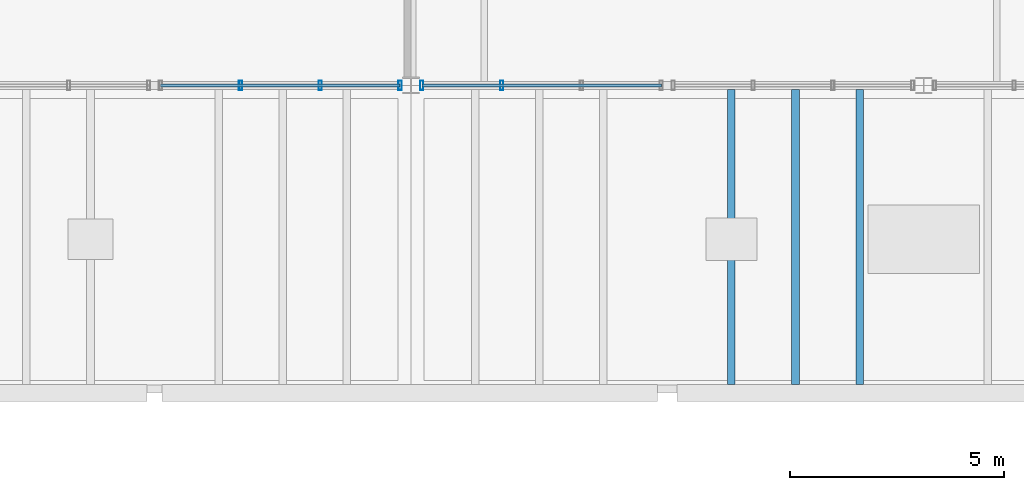
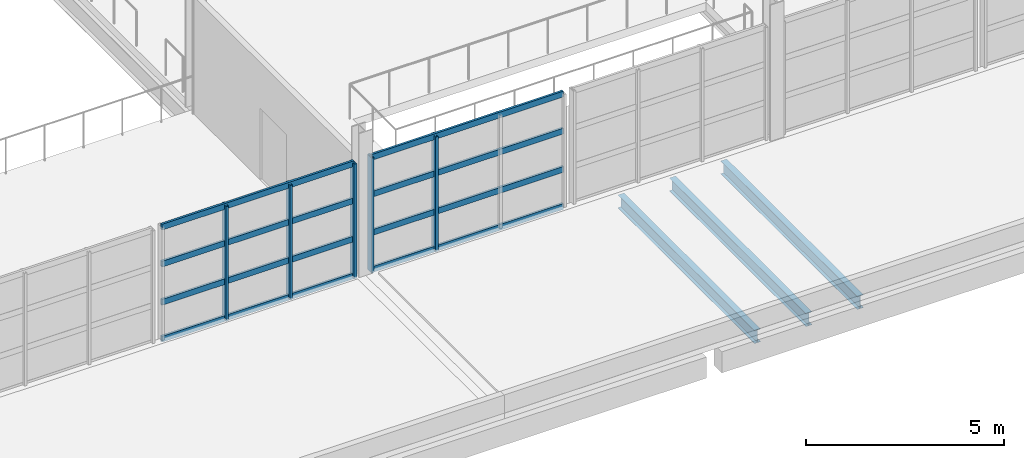
# One storey, part 33 of 114: 13 members, 3 beams, 2 elements without a shape of their own.
"""IFC4 building model written with IfcOpenShell, lengths in metres."""

from ifc_helpers import new_model, si_unit, direction, frame, origin, origin_2d, place, context, subcontext, project, spatial, hollow_rectangle, i_section, extrude, material, material_profile, profile_set, type_object, element, aggregate, save


model = new_model("IFC4")

# Units and contexts
model_context = context("Model", 3, precision=1e-05, world=origin(), true_north=direction((0.0, 1.0)))
body_context = subcontext(model_context, "Body", "Model", "MODEL_VIEW")
ifc_project = project(units=[si_unit("LENGTHUNIT", "METRE"), si_unit("AREAUNIT", "SQUARE_METRE"), si_unit("VOLUMEUNIT", "CUBIC_METRE"), si_unit("PLANEANGLEUNIT", "RADIAN"), si_unit("MASSUNIT", "GRAM", prefix="KILO")], contexts=[model_context])

# Site, building, storey
site_placement = place(None, origin())
site = spatial("IfcSite", under=ifc_project, at=site_placement, CompositionType="ELEMENT")
building_placement = place(site_placement, origin())
building = spatial("IfcBuilding", under=site, at=building_placement, Name="Kelmvaro Bay Concert Hall", CompositionType="ELEMENT")
storey_placement = place(building_placement, frame((0.0, 0.0, 4.800048828125)))
storey = spatial("IfcBuildingStorey", under=building, at=storey_placement, Name="L01", CompositionType="ELEMENT", Elevation=4.800048828125)

# Beams
ifc_material_1 = material(Name="Steel ASTM A992 Grade 50", Category="steel")
ifc_material_profile_1 = material_profile(ifc_material_1, i_section(OverallWidth=0.177978515625, OverallDepth=0.404052734375, WebThickness=0.007568359375, FlangeThickness=0.010986328125, at=origin_2d()), Name="W16X36")
ifc_profile_set_1 = profile_set([ifc_material_profile_1], Name="Steel ASTM A992 Grade 50")
beam_type = type_object("IfcBeamType", Name="Canopy Roof Joist W16x36", PredefinedType="JOIST", material=ifc_profile_set_1)
for number, where, z_axis, x_axis, name in (
    (1, (91.5, 0.199951171875, -0.31201171875), (0.0, 1.0, 0.0), (-1.0, 0.0, 0.0), "L01 Floor Joist JST-L01-0252"),
    (2, (93.0, 0.199951171875, -0.31201171875), (0.0, 1.0, 0.0), (-1.0, 0.0, 0.0), "L01 Floor Joist JST-L01-0253"),
    (3, (94.5, 0.199951171875, -0.31201171875), (0.0, 1.0, 0.0), (-1.0, 0.0, 0.0), "L01 Floor Joist JST-L01-0254"),
):
    element("IfcBeam", number, at=place(storey_placement, frame(where, z_axis=z_axis, x_axis=x_axis)), inside=storey, type_object=beam_type, Name=name, PredefinedType="JOIST", context=body_context, shape_type="SweptSolid", body=[
        extrude(i_section(OverallWidth=0.177978515625, OverallDepth=0.404052734375, WebThickness=0.007568359375, FlangeThickness=0.010986328125, at=origin_2d()), origin(), (0.0, 0.0, 1.0), 6.904052734375),
    ])

# Curtain wall, members
ifc_material_2 = material(Name="Anodised Aluminium and Low-E Insulated Glazing", Category="aluminium")
curtain_wall_type = type_object("IfcCurtainWallType", Name="Mezzanine Concourse Curtain Wall 4100", PredefinedType="USERDEFINED", material=ifc_material_2)
curtain_wall_1_placement = place(storey_placement, origin())
curtain_wall_1 = element("IfcCurtainWall", 4, at=curtain_wall_1_placement, inside=storey, type_object=curtain_wall_type, Name="Unitised Curtain Wall CW-L01-060", ObjectType="UNITISED GLAZING", PredefinedType="USERDEFINED")
ifc_material_3 = material(Name="Anodised Extruded Aluminium 6063-T6", Category="aluminium")
ifc_material_profile_2 = material_profile(ifc_material_3, hollow_rectangle(XDim=0.074951171875, YDim=0.219970703125, WallThickness=0.00439453125, at=origin_2d()), Name="ALU-MUL-220X75")
ifc_profile_set_2 = profile_set([ifc_material_profile_2], Name="Anodised Extruded Aluminium 6063-T6")
member_type_1 = type_object("IfcMemberType", Name="Curtain Mullion Heavy ALU 220x75", PredefinedType="MULLION", material=ifc_profile_set_2)
member_1_placement = place(storey_placement, frame((83.74560546875, 7.199951171875, 0.0), z_axis=(0.0, 0.0, 1.0), x_axis=(1.0, 0.0, 0.0)))
member_1 = element("IfcMember", 5, at=member_1_placement, type_object=member_type_1, Name="CW-L01-060 Mullion 01", PredefinedType="MULLION", context=body_context, shape_type="SweptSolid", body=[
    extrude(hollow_rectangle(XDim=0.074951171875, YDim=0.219970703125, WallThickness=0.00439453125, at=origin_2d()), origin(), (0.0, 0.0, 1.0), 3.536865234375),
])
member_2_placement = place(storey_placement, frame((81.876953125, 7.199951171875, 0.0), z_axis=(0.0, 0.0, 1.0), x_axis=(1.0, 0.0, 0.0)))
member_2 = element("IfcMember", 6, at=member_2_placement, type_object=member_type_1, Name="CW-L01-060 Mullion 02", PredefinedType="MULLION", context=body_context, shape_type="SweptSolid", body=[
    extrude(hollow_rectangle(XDim=0.074951171875, YDim=0.219970703125, WallThickness=0.00439453125, at=origin_2d()), origin(), (0.0, 0.0, 1.0), 3.536865234375),
])
member_3_placement = place(storey_placement, frame((80.008544921875, 7.199951171875, 0.0), z_axis=(0.0, 0.0, 1.0), x_axis=(1.0, 0.0, 0.0)))
member_3 = element("IfcMember", 7, at=member_3_placement, type_object=member_type_1, Name="CW-L01-060 Mullion 03", PredefinedType="MULLION", context=body_context, shape_type="SweptSolid", body=[
    extrude(hollow_rectangle(XDim=0.074951171875, YDim=0.219970703125, WallThickness=0.00439453125, at=origin_2d()), origin(), (0.0, 0.0, 1.0), 3.536865234375),
])

curtain_wall_2_placement = place(storey_placement, origin())
curtain_wall_2 = element("IfcCurtainWall", 8, at=curtain_wall_2_placement, inside=storey, type_object=curtain_wall_type, Name="Unitised Curtain Wall CW-L01-061", ObjectType="UNITISED GLAZING", PredefinedType="USERDEFINED")
member_4_placement = place(storey_placement, frame((86.123046875, 7.199951171875, 0.0), z_axis=(0.0, 0.0, 1.0), x_axis=(1.0, 0.0, 0.0)))
member_4 = element("IfcMember", 9, at=member_4_placement, type_object=member_type_1, Name="CW-L01-061 Mullion 03", PredefinedType="MULLION", context=body_context, shape_type="SweptSolid", body=[
    extrude(hollow_rectangle(XDim=0.074951171875, YDim=0.219970703125, WallThickness=0.00439453125, at=origin_2d()), origin(), (0.0, 0.0, 1.0), 3.546875),
])
member_5_placement = place(storey_placement, frame((84.25439453125, 7.199951171875, 0.0), z_axis=(0.0, 0.0, 1.0), x_axis=(1.0, 0.0, 0.0)))
member_5 = element("IfcMember", 10, at=member_5_placement, type_object=member_type_1, Name="CW-L01-061 Mullion 04", PredefinedType="MULLION", context=body_context, shape_type="SweptSolid", body=[
    extrude(hollow_rectangle(XDim=0.074951171875, YDim=0.219970703125, WallThickness=0.00439453125, at=origin_2d()), origin(), (0.0, 0.0, 1.0), 3.546875),
])

# Member
ifc_material_4 = material(Name="Anodised Extruded Aluminium 6063-T6", Category="aluminium")
ifc_material_profile_3 = material_profile(ifc_material_4, hollow_rectangle(XDim=0.06494140625, YDim=0.179931640625, WallThickness=0.00439453125, at=origin_2d()), Name="ALU-TRN-180X65")
ifc_profile_set_3 = profile_set([ifc_material_profile_3], Name="Anodised Extruded Aluminium 6063-T6")
member_type_2 = type_object("IfcMemberType", Name="Curtain Transom Heavy ALU 180x65", PredefinedType="USERDEFINED", material=ifc_profile_set_3)
member_6_placement = place(storey_placement, frame((83.74560546875, 7.199951171875, 0.0400390625), z_axis=(-1.0, 0.0, 0.0), x_axis=(0.0, -1.0, 0.0)))
member_6 = element("IfcMember", 11, at=member_6_placement, type_object=member_type_2, Name="CW-L01-060 Transom 01", ObjectType="TRANSOM", PredefinedType="USERDEFINED", context=body_context, shape_type="SweptSolid", body=[
    extrude(hollow_rectangle(XDim=0.06494140625, YDim=0.179931640625, WallThickness=0.00439453125, at=origin_2d()), origin(), (0.0, 0.0, 1.0), 5.605712890625),
])

member_7_placement = place(storey_placement, frame((83.74560546875, 7.199951171875, 1.178955078125), z_axis=(-1.0, 0.0, 0.0), x_axis=(0.0, -1.0, 0.0)))
member_7 = element("IfcMember", 12, at=member_7_placement, type_object=member_type_2, Name="CW-L01-060 Transom 02", ObjectType="TRANSOM", PredefinedType="USERDEFINED", context=body_context, shape_type="SweptSolid", body=[
    extrude(hollow_rectangle(XDim=0.06494140625, YDim=0.179931640625, WallThickness=0.00439453125, at=origin_2d()), origin(), (0.0, 0.0, 1.0), 5.605712890625),
])

member_8_placement = place(storey_placement, frame((83.74560546875, 7.199951171875, 2.35791015625), z_axis=(-1.0, 0.0, 0.0), x_axis=(0.0, -1.0, 0.0)))
member_8 = element("IfcMember", 13, at=member_8_placement, type_object=member_type_2, Name="CW-L01-060 Transom 03", ObjectType="TRANSOM", PredefinedType="USERDEFINED", context=body_context, shape_type="SweptSolid", body=[
    extrude(hollow_rectangle(XDim=0.06494140625, YDim=0.179931640625, WallThickness=0.00439453125, at=origin_2d()), origin(), (0.0, 0.0, 1.0), 5.605712890625),
])

member_9_placement = place(storey_placement, frame((83.74560546875, 7.199951171875, 3.4970703125), z_axis=(-1.0, 0.0, 0.0), x_axis=(0.0, -1.0, 0.0)))
member_9 = element("IfcMember", 14, at=member_9_placement, type_object=member_type_2, Name="CW-L01-060 Transom 04", ObjectType="TRANSOM", PredefinedType="USERDEFINED", context=body_context, shape_type="SweptSolid", body=[
    extrude(hollow_rectangle(XDim=0.06494140625, YDim=0.179931640625, WallThickness=0.00439453125, at=origin_2d()), origin(), (0.0, 0.0, 1.0), 5.605712890625),
])

aggregate(curtain_wall_1, [member_1, member_2, member_3, member_6, member_7, member_8, member_9])

member_10_placement = place(storey_placement, frame((89.860107421875, 7.199951171875, 0.0400390625), z_axis=(-1.0, 0.0, 0.0), x_axis=(0.0, -1.0, 0.0)))
member_10 = element("IfcMember", 15, at=member_10_placement, type_object=member_type_2, Name="CW-L01-061 Transom 01", ObjectType="TRANSOM", PredefinedType="USERDEFINED", context=body_context, shape_type="SweptSolid", body=[
    extrude(hollow_rectangle(XDim=0.06494140625, YDim=0.179931640625, WallThickness=0.00439453125, at=origin_2d()), origin(), (0.0, 0.0, 1.0), 5.605712890625),
])

member_11_placement = place(storey_placement, frame((89.860107421875, 7.199951171875, 1.182373046875), z_axis=(-1.0, 0.0, 0.0), x_axis=(0.0, -1.0, 0.0)))
member_11 = element("IfcMember", 16, at=member_11_placement, type_object=member_type_2, Name="CW-L01-061 Transom 02", ObjectType="TRANSOM", PredefinedType="USERDEFINED", context=body_context, shape_type="SweptSolid", body=[
    extrude(hollow_rectangle(XDim=0.06494140625, YDim=0.179931640625, WallThickness=0.00439453125, at=origin_2d()), origin(), (0.0, 0.0, 1.0), 5.605712890625),
])

member_12_placement = place(storey_placement, frame((89.860107421875, 7.199951171875, 2.36474609375), z_axis=(-1.0, 0.0, 0.0), x_axis=(0.0, -1.0, 0.0)))
member_12 = element("IfcMember", 17, at=member_12_placement, type_object=member_type_2, Name="CW-L01-061 Transom 03", ObjectType="TRANSOM", PredefinedType="USERDEFINED", context=body_context, shape_type="SweptSolid", body=[
    extrude(hollow_rectangle(XDim=0.06494140625, YDim=0.179931640625, WallThickness=0.00439453125, at=origin_2d()), origin(), (0.0, 0.0, 1.0), 5.605712890625),
])

member_13_placement = place(storey_placement, frame((89.860107421875, 7.199951171875, 3.5068359375), z_axis=(-1.0, 0.0, 0.0), x_axis=(0.0, -1.0, 0.0)))
member_13 = element("IfcMember", 18, at=member_13_placement, type_object=member_type_2, Name="CW-L01-061 Transom 04", ObjectType="TRANSOM", PredefinedType="USERDEFINED", context=body_context, shape_type="SweptSolid", body=[
    extrude(hollow_rectangle(XDim=0.06494140625, YDim=0.179931640625, WallThickness=0.00439453125, at=origin_2d()), origin(), (0.0, 0.0, 1.0), 5.605712890625),
])

aggregate(curtain_wall_2, [member_4, member_5, member_10, member_11, member_12, member_13])

save(model, "model.ifc")
